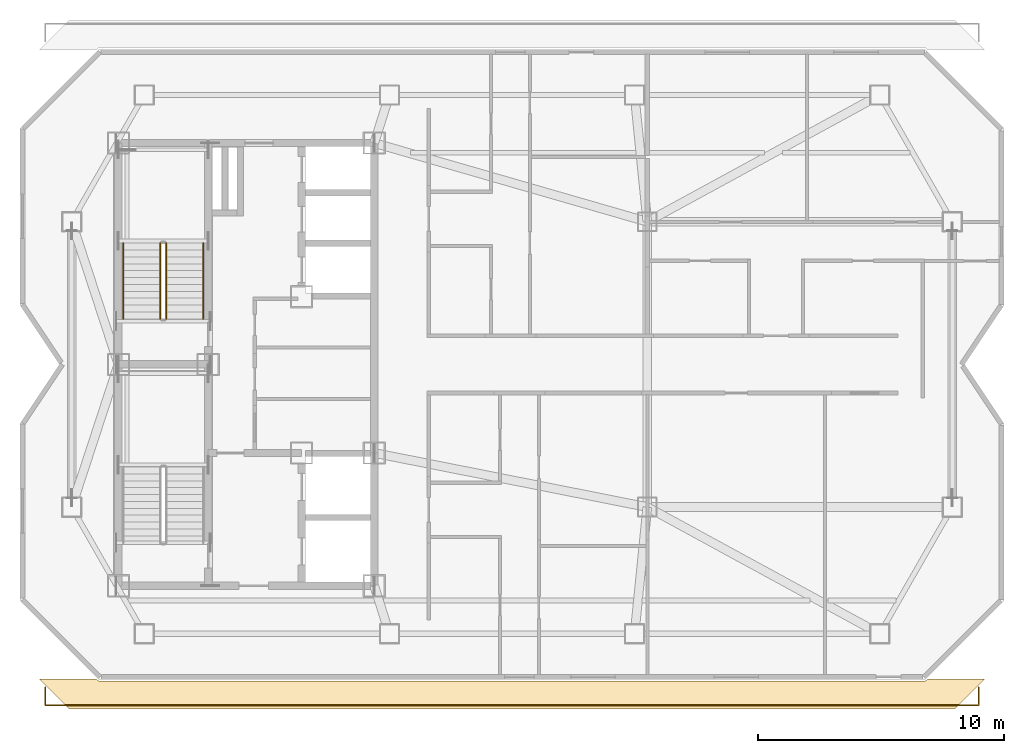
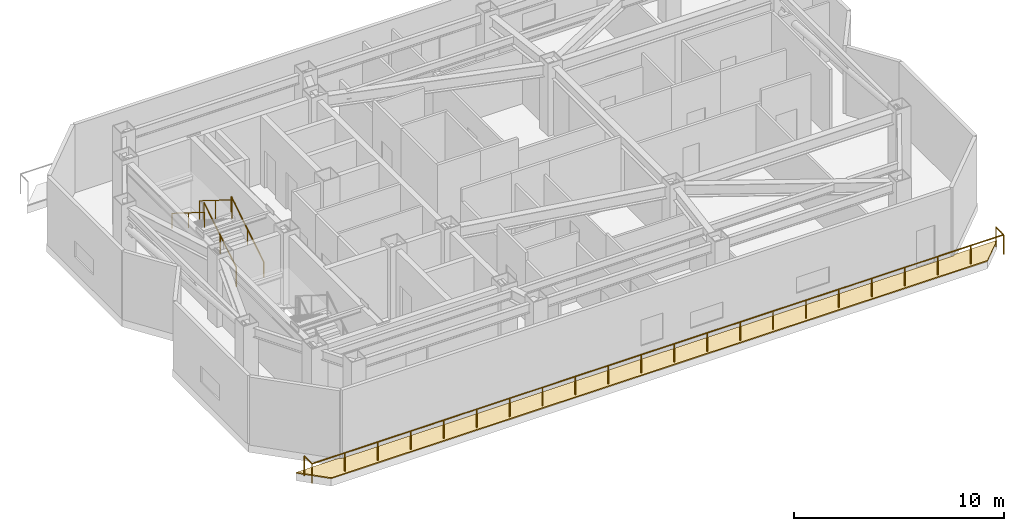
# One storey, part 10 of 12: 5 railings, 1 covering.
"""IFC4 building model written with IfcOpenShell, lengths in metres."""

from ifc_helpers import new_model, si_unit, direction, frame, origin, origin_2d, place, context, subcontext, project, spatial, polyline, circle, outline, extrude, material, layer, layer_set, type_object, element, save


model = new_model("IFC4")

# Units and contexts
model_context = context("Model", 3, precision=1e-05, world=origin(), true_north=direction((0.0, 1.0)))
body_context = subcontext(model_context, "Body", "Model", "MODEL_VIEW")
ifc_project = project(units=[si_unit("LENGTHUNIT", "METRE"), si_unit("AREAUNIT", "SQUARE_METRE"), si_unit("VOLUMEUNIT", "CUBIC_METRE"), si_unit("PLANEANGLEUNIT", "RADIAN"), si_unit("MASSUNIT", "GRAM", prefix="KILO")], contexts=[model_context])

# Site, building, storey
site_placement = place(None, origin())
site = spatial("IfcSite", under=ifc_project, at=site_placement, CompositionType="ELEMENT")
building_placement = place(site_placement, origin())
building = spatial("IfcBuilding", under=site, at=building_placement, Name="Khamvora Tower", CompositionType="ELEMENT")
storey_placement = place(building_placement, frame((0.0, 0.0, 286.25)))
storey = spatial("IfcBuildingStorey", under=building, at=storey_placement, Name="L73", CompositionType="ELEMENT", Elevation=286.25)

# Covering
ifc_material_1 = material(Name="Insulated Elastomeric Roof Waterproofing System", Category="membrane")
ifc_layer = layer(ifc_material_1, 0.0849609375)
ifc_layer_set = layer_set([ifc_layer], Name="Insulated Elastomeric Roof Waterproofing System")
covering_type = type_object("IfcCoveringType", Name="COV-ROOF-MEM", PredefinedType="ROOFING", material=ifc_layer_set)
covering_placement = place(storey_placement, origin())
element("IfcCovering", 1, at=covering_placement, inside=storey, type_object=covering_type, Name="L73 terrace waterproofing paving 1", PredefinedType="ROOFING", context=body_context, shape_type="SweptSolid", body=[
    extrude(outline(polyline([(63.0, 14.0), (27.0, 14.0), (25.780029296875, 15.219970703125), (28.094970703125, 15.219970703125), (28.157958984375, 15.157958984375), (28.162109375, 15.154052734375), (28.1669921875, 15.14990234375), (28.172119140625, 15.14697265625), (28.177001953125, 15.14501953125), (28.18310546875, 15.14306640625), (28.18798828125, 15.14111328125), (28.194091796875, 15.139892578125), (28.199951171875, 15.139892578125), (61.800048828125, 15.139892578125), (61.805908203125, 15.139892578125), (61.81201171875, 15.14111328125), (61.81689453125, 15.14306640625), (61.822998046875, 15.14501953125), (61.827880859375, 15.14697265625), (61.8330078125, 15.14990234375), (61.837890625, 15.154052734375), (61.842041015625, 15.157958984375), (61.905029296875, 15.219970703125), (64.219970703125, 15.219970703125), (63.0, 14.0)])), origin(), (0.0, 0.0, 1.0), 0.06494140625),
])

# Railings
ifc_material_2 = material(Name="Brushed Stainless Steel 316", Category="steel")
railing_type_1 = type_object("IfcRailingType", Name="RAL-HDR-920", PredefinedType="HANDRAIL", material=ifc_material_2)
railing_1_placement = place(storey_placement, frame((32.449951171875, 29.85009765625, 0.175048828125)))
element("IfcRailing", 2, at=railing_1_placement, inside=storey, type_object=railing_type_1, Name="L73 ST-02 stair handrail 1", PredefinedType="HANDRAIL", context=body_context, shape_type="SweptSolid", body=[
    extrude(circle(Radius=0.02392578125, at=origin_2d()), frame((0.0, 0.0, 0.8759765625), z_axis=(0.0, 0.847979421464, 0.530029150871), x_axis=(-1.0, 0.0, 0.0)), (0.0, 0.0, 1.0), 3.632080078125),
    extrude(circle(Radius=0.02099609375, at=origin_2d()), origin(), (0.0, 0.0, 1.0), 0.851806640625),
    extrude(circle(Radius=0.02099609375, at=origin_2d()), frame((0.0, 1.5400390625, 0.96240234375)), (0.0, 0.0, 1.0), 0.851806640625),
    extrude(circle(Radius=0.02099609375, at=origin_2d()), frame((0.0, 3.079833984375, 1.925048828125)), (0.0, 0.0, 1.0), 0.851806640625),
])
railing_2_placement = place(storey_placement, frame((29.199951171875, 32.929931640625, 2.27490234375)))
element("IfcRailing", 3, at=railing_2_placement, inside=storey, type_object=railing_type_1, Name="L73 ST-02 stair handrail 2", PredefinedType="HANDRAIL", context=body_context, shape_type="SweptSolid", body=[
    extrude(circle(Radius=0.02392578125, at=origin_2d()), frame((0.0, 0.0, 0.8759765625), z_axis=(0.0, -0.847979421464, 0.530029150871), x_axis=(1.0, 0.0, 0.0)), (0.0, 0.0, 1.0), 3.632080078125),
    extrude(circle(Radius=0.02099609375, at=origin_2d()), origin(), (0.0, 0.0, 1.0), 0.851806640625),
    extrude(circle(Radius=0.02099609375, at=origin_2d()), frame((0.0, -1.5400390625, 0.96240234375)), (0.0, 0.0, 1.0), 0.851806640625),
    extrude(circle(Radius=0.02099609375, at=origin_2d()), frame((0.0, -3.079833984375, 1.925048828125)), (0.0, 0.0, 1.0), 0.851806640625),
])
ifc_material_3 = material(Name="Laminated Structural Safety Glass and Stainless Steel", Category="steel")
railing_type_2 = type_object("IfcRailingType", Name="RAL-POOL-1150", PredefinedType="BALUSTRADE", material=ifc_material_3)
railing_3_placement = place(storey_placement, frame((26.030029296875, 14.8701171875, 0.0)))
element("IfcRailing", 4, at=railing_3_placement, inside=storey, type_object=railing_type_2, Name="L73 stepped roof terrace balustrade 1", PredefinedType="BALUSTRADE", context=body_context, shape_type="SweptSolid", body=[
    extrude(circle(Radius=0.02392578125, at=origin_2d()), frame((0.0, 0.0, 1.1259765625), z_axis=(0.0, -1.0, 0.0), x_axis=(1.0, 0.0, 0.0)), (0.0, 0.0, 1.0), 0.72021484375),
    extrude(circle(Radius=0.02392578125, at=origin_2d()), frame((0.0, -0.72021484375, 1.1259765625), z_axis=(1.0, 0.0, 0.0), x_axis=(0.0, 1.0, 0.0)), (0.0, 0.0, 1.0), 37.93994140625),
    extrude(circle(Radius=0.02392578125, at=origin_2d()), frame((37.93994140625, -0.72021484375, 1.1259765625), z_axis=(0.0, 1.0, 0.0), x_axis=(-1.0, 0.0, 0.0)), (0.0, 0.0, 1.0), 0.72021484375),
    extrude(circle(Radius=0.02099609375, at=origin_2d()), origin(), (0.0, 0.0, 1.0), 1.101806640625),
    extrude(circle(Radius=0.02099609375, at=origin_2d()), frame((0.0, -0.72021484375, 0.0)), (0.0, 0.0, 1.0), 1.101806640625),
    extrude(circle(Radius=0.02099609375, at=origin_2d()), frame((1.806640625, -0.72021484375, 0.0)), (0.0, 0.0, 1.0), 1.101806640625),
    extrude(circle(Radius=0.02099609375, at=origin_2d()), frame((3.61328125, -0.72021484375, 0.0)), (0.0, 0.0, 1.0), 1.101806640625),
    extrude(circle(Radius=0.02099609375, at=origin_2d()), frame((5.419921875, -0.72021484375, 0.0)), (0.0, 0.0, 1.0), 1.101806640625),
    extrude(circle(Radius=0.02099609375, at=origin_2d()), frame((7.2265625, -0.72021484375, 0.0)), (0.0, 0.0, 1.0), 1.101806640625),
    extrude(circle(Radius=0.02099609375, at=origin_2d()), frame((9.033203125, -0.72021484375, 0.0)), (0.0, 0.0, 1.0), 1.101806640625),
    extrude(circle(Radius=0.02099609375, at=origin_2d()), frame((10.840087890625, -0.72021484375, 0.0)), (0.0, 0.0, 1.0), 1.101806640625),
    extrude(circle(Radius=0.02099609375, at=origin_2d()), frame((12.646728515625, -0.72021484375, 0.0)), (0.0, 0.0, 1.0), 1.101806640625),
    extrude(circle(Radius=0.02099609375, at=origin_2d()), frame((14.453369140625, -0.72021484375, 0.0)), (0.0, 0.0, 1.0), 1.101806640625),
    extrude(circle(Radius=0.02099609375, at=origin_2d()), frame((16.260009765625, -0.72021484375, 0.0)), (0.0, 0.0, 1.0), 1.101806640625),
    extrude(circle(Radius=0.02099609375, at=origin_2d()), frame((18.066650390625, -0.72021484375, 0.0)), (0.0, 0.0, 1.0), 1.101806640625),
    extrude(circle(Radius=0.02099609375, at=origin_2d()), frame((19.873291015625, -0.72021484375, 0.0)), (0.0, 0.0, 1.0), 1.101806640625),
    extrude(circle(Radius=0.02099609375, at=origin_2d()), frame((21.679931640625, -0.72021484375, 0.0)), (0.0, 0.0, 1.0), 1.101806640625),
    extrude(circle(Radius=0.02099609375, at=origin_2d()), frame((23.486572265625, -0.72021484375, 0.0)), (0.0, 0.0, 1.0), 1.101806640625),
    extrude(circle(Radius=0.02099609375, at=origin_2d()), frame((25.293212890625, -0.72021484375, 0.0)), (0.0, 0.0, 1.0), 1.101806640625),
    extrude(circle(Radius=0.02099609375, at=origin_2d()), frame((27.099853515625, -0.72021484375, 0.0)), (0.0, 0.0, 1.0), 1.101806640625),
    extrude(circle(Radius=0.02099609375, at=origin_2d()), frame((28.90673828125, -0.72021484375, 0.0)), (0.0, 0.0, 1.0), 1.101806640625),
    extrude(circle(Radius=0.02099609375, at=origin_2d()), frame((30.71337890625, -0.72021484375, 0.0)), (0.0, 0.0, 1.0), 1.101806640625),
    extrude(circle(Radius=0.02099609375, at=origin_2d()), frame((32.52001953125, -0.72021484375, 0.0)), (0.0, 0.0, 1.0), 1.101806640625),
    extrude(circle(Radius=0.02099609375, at=origin_2d()), frame((34.32666015625, -0.72021484375, 0.0)), (0.0, 0.0, 1.0), 1.101806640625),
    extrude(circle(Radius=0.02099609375, at=origin_2d()), frame((36.13330078125, -0.72021484375, 0.0)), (0.0, 0.0, 1.0), 1.101806640625),
    extrude(circle(Radius=0.02099609375, at=origin_2d()), frame((37.93994140625, -0.72021484375, 0.0)), (0.0, 0.0, 1.0), 1.101806640625),
    extrude(circle(Radius=0.02099609375, at=origin_2d()), frame((37.93994140625, 0.0, 0.0)), (0.0, 0.0, 1.0), 1.101806640625),
])
ifc_material_4 = material(Name="Stainless Steel 316", Category="steel")
railing_type_3 = type_object("IfcRailingType", Name="RAL-STG-1100", PredefinedType="GUARDRAIL", material=ifc_material_4)
railing_4_placement = place(storey_placement, frame((30.949951171875, 29.85009765625, 0.175048828125)))
element("IfcRailing", 5, at=railing_4_placement, inside=storey, type_object=railing_type_3, Name="L73 ST-02 stair guard 1", PredefinedType="GUARDRAIL", context=body_context, shape_type="SweptSolid", body=[
    extrude(circle(Radius=0.02392578125, at=origin_2d()), frame((0.0, 0.0, 1.076171875), z_axis=(0.0, 0.847979421464, 0.530029150871), x_axis=(-1.0, 0.0, 0.0)), (0.0, 0.0, 1.0), 3.632080078125),
    extrude(circle(Radius=0.02099609375, at=origin_2d()), origin(), (0.0, 0.0, 1.0), 1.052001953125),
    extrude(circle(Radius=0.02099609375, at=origin_2d()), frame((0.0, 1.5400390625, 0.96240234375)), (0.0, 0.0, 1.0), 1.052001953125),
    extrude(circle(Radius=0.02099609375, at=origin_2d()), frame((0.0, 3.079833984375, 1.925048828125)), (0.0, 0.0, 1.0), 1.052001953125),
])
railing_5_placement = place(storey_placement, frame((30.699951171875, 32.929931640625, 2.27490234375)))
element("IfcRailing", 6, at=railing_5_placement, inside=storey, type_object=railing_type_3, Name="L73 ST-02 stair guard 3", PredefinedType="GUARDRAIL", context=body_context, shape_type="SweptSolid", body=[
    extrude(circle(Radius=0.02392578125, at=origin_2d()), frame((0.0, 0.0, 1.076171875), z_axis=(0.0, -0.847979421464, 0.530029150871), x_axis=(1.0, 0.0, 0.0)), (0.0, 0.0, 1.0), 3.632080078125),
    extrude(circle(Radius=0.02099609375, at=origin_2d()), origin(), (0.0, 0.0, 1.0), 1.052001953125),
    extrude(circle(Radius=0.02099609375, at=origin_2d()), frame((0.0, -1.5400390625, 0.96240234375)), (0.0, 0.0, 1.0), 1.052001953125),
    extrude(circle(Radius=0.02099609375, at=origin_2d()), frame((0.0, -3.079833984375, 1.925048828125)), (0.0, 0.0, 1.0), 1.052001953125),
])

save(model, "model.ifc")
